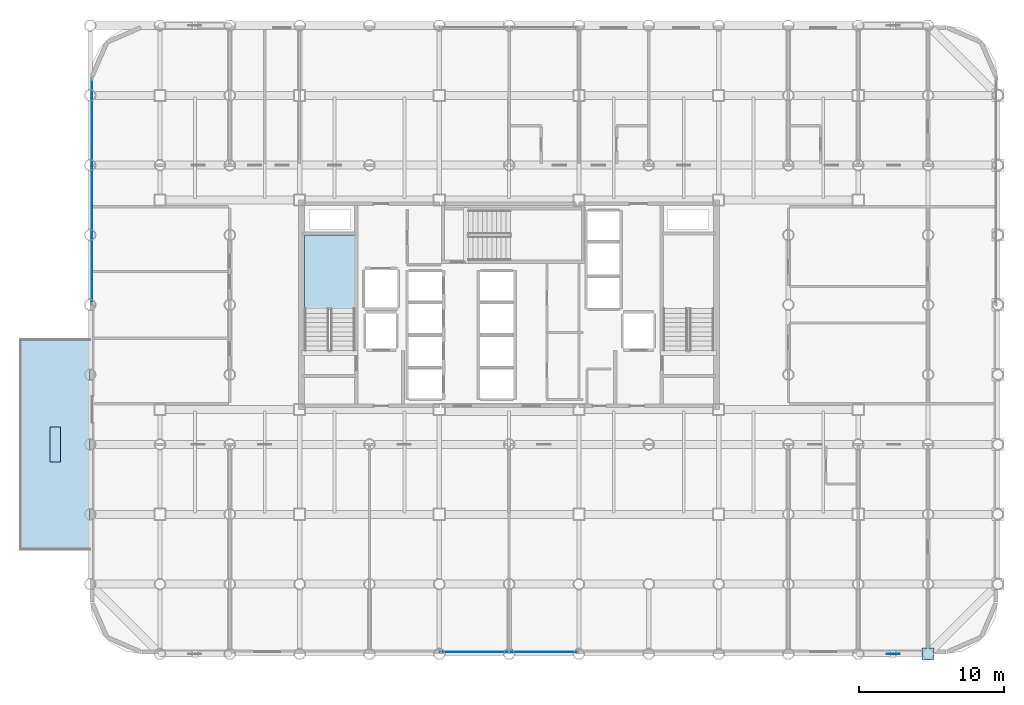
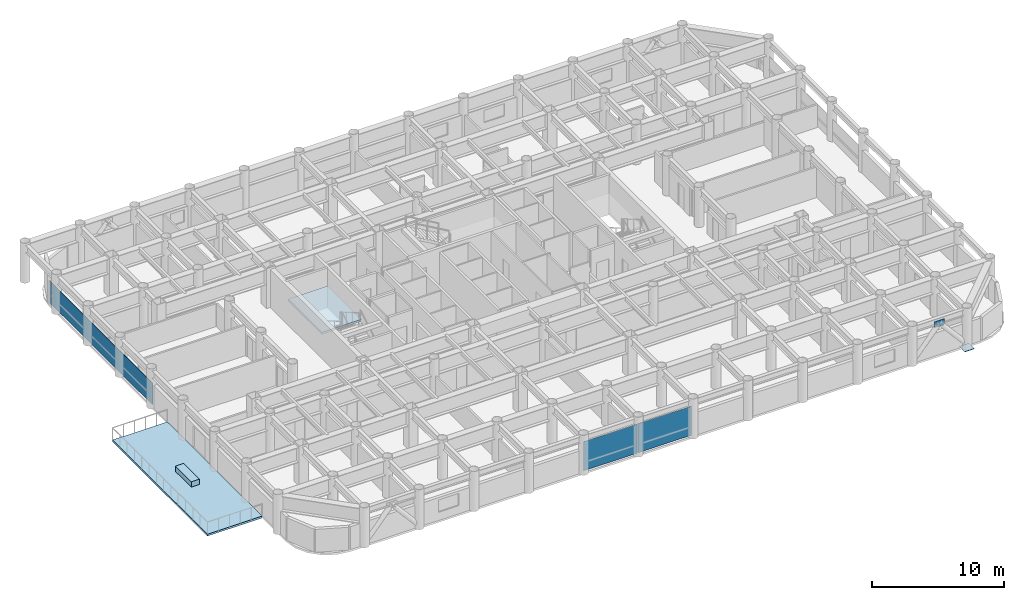
# One storey, part 15 of 22: 6 plates, 2 slabs, 3 elements without a shape of their own.
"""IFC4 building model written with IfcOpenShell, lengths in metres."""

from ifc_helpers import new_model, si_unit, direction, frame, origin, origin_2d, place, context, subcontext, project, spatial, polyline, rectangle, outline, extrude, material, layer, layer_set, type_object, element, aggregate, save


model = new_model("IFC4")

# Units and contexts
model_context = context("Model", 3, precision=1e-05, world=origin(), true_north=direction((0.0, 1.0)))
body_context = subcontext(model_context, "Body", "Model", "MODEL_VIEW")
ifc_project = project(units=[si_unit("LENGTHUNIT", "METRE"), si_unit("AREAUNIT", "SQUARE_METRE"), si_unit("VOLUMEUNIT", "CUBIC_METRE"), si_unit("PLANEANGLEUNIT", "RADIAN"), si_unit("MASSUNIT", "GRAM", prefix="KILO")], contexts=[model_context])

# Site, building, storey
site_placement = place(None, origin())
site = spatial("IfcSite", under=ifc_project, at=site_placement, CompositionType="ELEMENT")
building_placement = place(site_placement, origin())
building = spatial("IfcBuilding", under=site, at=building_placement, Name="Kallvorn Hotel Tower", CompositionType="ELEMENT")
storey_placement = place(building_placement, frame((0.0, 0.0, 59.60009765625)))
storey = spatial("IfcBuildingStorey", under=building, at=storey_placement, Name="L13", CompositionType="ELEMENT", Elevation=59.60009765625)

# Curtain wall, plates
ifc_material_1 = material(Name="Thermally broken black-anodised aluminium AA 6063-T6", Category="aluminium")
ifc_layer_1 = layer(ifc_material_1, 0.199951171875)
ifc_layer_set_1 = layer_set([ifc_layer_1], Name="CW_SYS_3_HOTEL_LOW")
curtain_wall_type = type_object("IfcCurtainWallType", Name="CW_SYS_3_HOTEL_LOW", PredefinedType="USERDEFINED", material=ifc_layer_set_1)
curtain_wall_1_placement = place(storey_placement, origin())
curtain_wall_1 = element("IfcCurtainWall", 1, at=curtain_wall_1_placement, inside=storey, type_object=curtain_wall_type, Name="L13 Dark-Glass Curtain Wall CW-L13-SC", ObjectType="UNITISED CURTAIN WALL", PredefinedType="USERDEFINED")
ifc_material_2 = material(Name="Double-glazed low-e solar-control dark glass", Category="glass")
ifc_layer_2 = layer(ifc_material_2, 0.035888671875)
ifc_layer_set_2 = layer_set([ifc_layer_2], Name="CW_SYS_3_HOTEL_LOW_PANEL")
plate_type_1 = type_object("IfcPlateType", Name="CW_SYS_3_HOTEL_LOW_PANEL", PredefinedType="CURTAIN_PANEL", material=ifc_layer_set_2)
plate_1_placement = place(storey_placement, frame((-2.375, -23.8798828125, 0.06005859375), z_axis=(0.0, 0.0, 1.0), x_axis=(1.0, 0.0, 0.0)))
plate_1 = element("IfcPlate", 2, at=plate_1_placement, type_object=plate_type_1, Name="CW-L13-SC Vision Glass Panel 00", PredefinedType="CURTAIN_PANEL", context=body_context, shape_type="SweptSolid", body=[
    extrude(rectangle(XDim=4.68994140625, YDim=0.035888671875, at=origin_2d()), origin(), (0.0, 0.0, 1.0), 2.699951171875),
])
plate_2_placement = place(storey_placement, frame((2.375, -23.8798828125, 0.06005859375), z_axis=(0.0, 0.0, 1.0), x_axis=(1.0, 0.0, 0.0)))
plate_2 = element("IfcPlate", 3, at=plate_2_placement, type_object=plate_type_1, Name="CW-L13-SC Vision Glass Panel 01", PredefinedType="CURTAIN_PANEL", context=body_context, shape_type="SweptSolid", body=[
    extrude(rectangle(XDim=4.68994140625, YDim=0.035888671875, at=origin_2d()), origin(), (0.0, 0.0, 1.0), 2.699951171875),
])
aggregate(curtain_wall_1, [plate_1, plate_2])

# Curtain wall, plate
curtain_wall_2_placement = place(storey_placement, origin())
curtain_wall_2 = element("IfcCurtainWall", 4, at=curtain_wall_2_placement, inside=storey, type_object=curtain_wall_type, Name="L13 Dark-Glass Curtain Wall CW-L13-WN", ObjectType="UNITISED CURTAIN WALL", PredefinedType="USERDEFINED")
plate_3_placement = place(storey_placement, frame((-28.679931640625, 7.81005859375, 0.059814453125), z_axis=(0.0, 0.0, 1.0), x_axis=(0.0, 1.0, 0.0)))
plate_3 = element("IfcPlate", 5, at=plate_3_placement, type_object=plate_type_1, Name="CW-L13-WN Vision Glass Panel 00", PredefinedType="CURTAIN_PANEL", context=body_context, shape_type="SweptSolid", body=[
    extrude(rectangle(XDim=15.52001953125, YDim=0.035888671875, at=origin_2d()), origin(), (0.0, 0.0, 1.0), 2.0),
])
aggregate(curtain_wall_2, [plate_3])

# Plates
ifc_material_3 = material(Name="Structural steel S355JR", Category="steel")
ifc_layer_3 = layer(ifc_material_3, 0.030029296875)
ifc_layer_set_3 = layer_set([ifc_layer_3], Name="PLT_CAP_30")
plate_type_2 = type_object("IfcPlateType", Name="PLT_CAP_30", PredefinedType="SHEET", material=ifc_layer_set_3)
plate_4_placement = place(storey_placement, frame((28.800048828125, -24.0, -0.2099609375), z_axis=(0.0, 0.0, 1.0), x_axis=(1.0, 0.0, 0.0)))
element("IfcPlate", 6, at=plate_4_placement, inside=storey, type_object=plate_type_2, Name="L13 Hollow Column Base End Cap Plate 0146", PredefinedType="SHEET", context=body_context, shape_type="SweptSolid", body=[
    extrude(rectangle(XDim=0.842041015625, YDim=0.842041015625, at=origin_2d()), origin(), (0.0, 0.0, 1.0), 0.030029296875),
])
ifc_material_4 = material(Name="Structural steel S355JR", Category="steel")
ifc_layer_4 = layer(ifc_material_4, 0.044921875)
ifc_layer_set_4 = layer_set([ifc_layer_4], Name="PLT_GUSSET_45")
plate_type_3 = type_object("IfcPlateType", Name="PLT_GUSSET_45", PredefinedType="USERDEFINED", material=ifc_layer_set_4)
plate_5_placement = place(storey_placement, frame((26.39990234375, -24.0, 2.639892578125), z_axis=(0.0, 0.0, 1.0), x_axis=(1.0, 0.0, 0.0)))
element("IfcPlate", 7, at=plate_5_placement, inside=storey, type_object=plate_type_3, Name="L13 Exoskeleton Node Gusset S2", ObjectType="GUSSET PLATE", PredefinedType="USERDEFINED", context=body_context, shape_type="SweptSolid", body=[
    extrude(rectangle(XDim=0.89990234375, YDim=0.044921875, at=origin_2d()), origin(), (0.0, 0.0, 1.0), 0.56005859375),
])
ifc_material_5 = material(Name="Powder-coated marine-grade aluminium planter trough", Category="aluminium")
ifc_layer_5 = layer(ifc_material_5, 0.0400390625)
ifc_layer_set_5 = layer_set([ifc_layer_5], Name="PLT_PLANTER_TROUGH")
plate_type_4 = type_object("IfcPlateType", Name="PLT_PLANTER_TROUGH", PredefinedType="USERDEFINED", material=ifc_layer_set_5)
plate_6_placement = place(storey_placement, frame((-31.199951171875, -9.60009765625, 0.0), z_axis=(0.0, 0.0, 1.0), x_axis=(0.0, 1.0, 0.0)))
element("IfcPlate", 8, at=plate_6_placement, inside=storey, type_object=plate_type_4, Name="TER-L13-W Step-Off Terrace Planter", ObjectType="FACADE PLANTER TROUGH", PredefinedType="USERDEFINED", context=body_context, shape_type="SweptSolid", body=[
    extrude(rectangle(XDim=2.39990234375, YDim=0.699951171875, at=origin_2d()), origin(), (0.0, 0.0, 1.0), 0.5),
])

# Stair, slab
ifc_material_6 = material(Name="Precast concrete C40/50", Category="concrete")
stair_type = type_object("IfcStairType", Name="STR_CORE_DOGLEG", PredefinedType="HALF_TURN_STAIR", material=ifc_material_6)
stair_placement = place(storey_placement, origin())
stair = element("IfcStair", 9, at=stair_placement, inside=storey, type_object=stair_type, Name="L13 Exit stair ST1", PredefinedType="HALF_TURN_STAIR")
ifc_material_7 = material(Name="Precast concrete C40/50", Category="concrete")
ifc_layer_6 = layer(ifc_material_7, 0.179931640625)
ifc_layer_set_6 = layer_set([ifc_layer_6], Name="SLB_LANDING_180")
slab_type_1 = type_object("IfcSlabType", Name="SLB_LANDING_180", PredefinedType="LANDING", material=ifc_layer_set_6)
slab_1_placement = place(storey_placement, frame((0.0, 0.0, 1.64990234375)))
slab_1 = element("IfcSlab", 10, at=slab_1_placement, type_object=slab_type_1, Name="ST1 landing 1", PredefinedType="LANDING", context=body_context, shape_type="SweptSolid", body=[
    extrude(outline(polyline([(-10.60009765625, -0.31005859375), (-10.60009765625, 4.800048828125), (-14.06005859375, 4.800048828125), (-14.06005859375, -0.31005859375), (-10.60009765625, -0.31005859375)])), origin(), (0.0, 0.0, 1.0), 0.199951171875),
])
aggregate(stair, [slab_1])

# Slab
ifc_material_8 = material(Name="Concrete C40/50", Category="concrete")
ifc_layer_7 = layer(ifc_material_8, 0.179931640625)
ifc_layer_set_7 = layer_set([ifc_layer_7], Name="SLB_TERRACE_180")
slab_type_2 = type_object("IfcSlabType", Name="SLB_TERRACE_180", PredefinedType="ROOF", material=ifc_layer_set_7)
slab_2_placement = place(storey_placement, frame((0.0, 0.0, -0.18017578125)))
element("IfcSlab", 11, at=slab_2_placement, inside=storey, type_object=slab_type_2, Name="L13 Jenga Step-Off Garden Terrace TER-L13-W", PredefinedType="ROOF", context=body_context, shape_type="SweptSolid", body=[
    extrude(outline(polyline([(-33.60009765625, -16.800048828125), (-28.800048828125, -16.800048828125), (-28.800048828125, -2.39990234375), (-33.60009765625, -2.39990234375), (-33.60009765625, -16.800048828125)])), origin(), (0.0, 0.0, 1.0), 0.18017578125),
])

save(model, "model.ifc")
